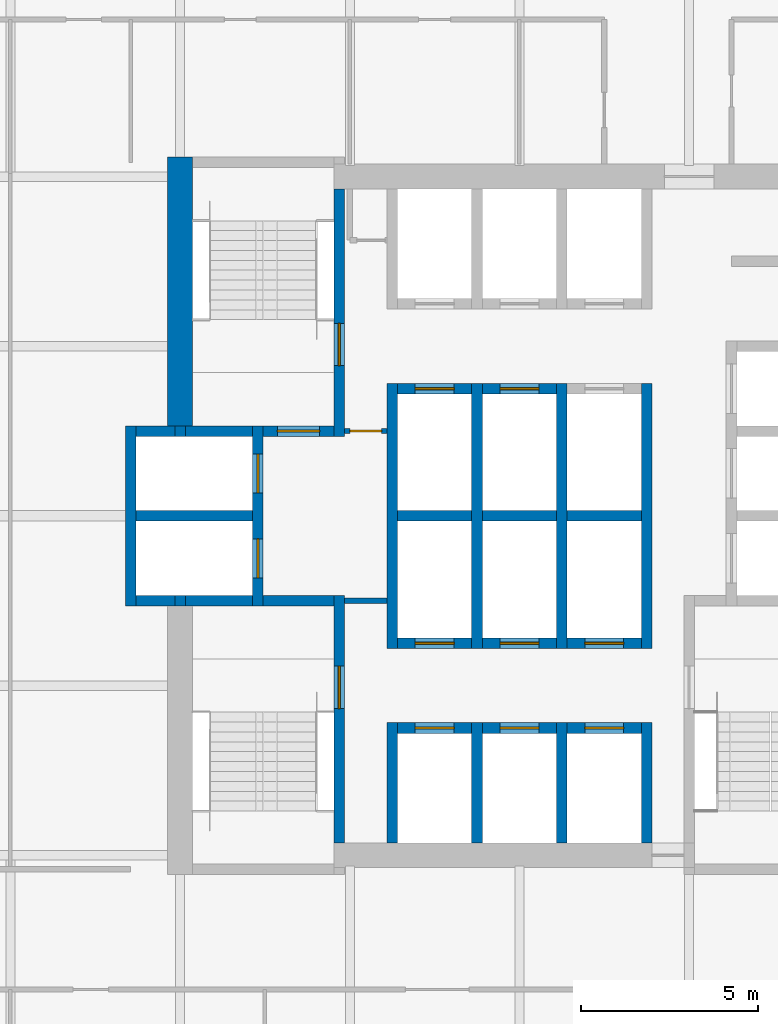
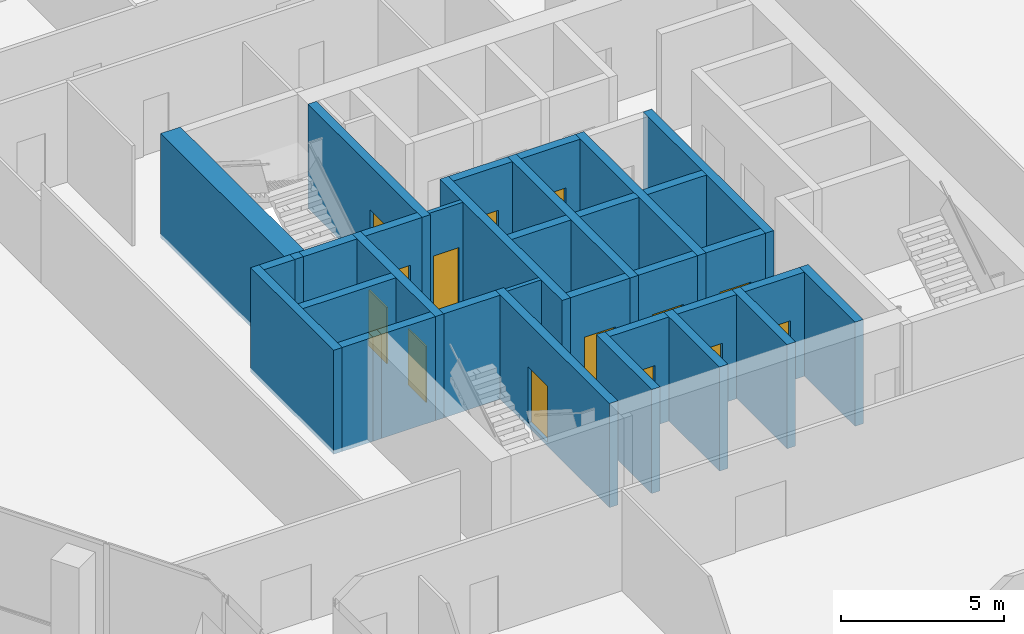
# One storey, part 9 of 15: 35 walls, 14 doors, 14 openings.
"""IFC4 building model written with IfcOpenShell, lengths in metres."""

from ifc_helpers import new_model, si_unit, direction, frame, frame_2d, origin, place, context, subcontext, project, spatial, rectangle, extrude, material, layer, layer_set, type_object, element, fill, save


model = new_model("IFC4")

# Units and contexts
model_context = context("Model", 3, precision=1e-05, world=origin(), true_north=direction((0.0, 1.0)))
body_context = subcontext(model_context, "Body", "Model", "MODEL_VIEW")
ifc_project = project(units=[si_unit("LENGTHUNIT", "METRE"), si_unit("AREAUNIT", "SQUARE_METRE"), si_unit("VOLUMEUNIT", "CUBIC_METRE"), si_unit("PLANEANGLEUNIT", "RADIAN"), si_unit("MASSUNIT", "GRAM", prefix="KILO")], contexts=[model_context])

# Site, building, storey
site_placement = place(None, origin())
site = spatial("IfcSite", under=ifc_project, at=site_placement, CompositionType="ELEMENT")
building_placement = place(site_placement, origin())
building = spatial("IfcBuilding", under=site, at=building_placement, Name="Kolab Exchange Tower", CompositionType="ELEMENT")
storey_placement = place(building_placement, frame((0.0, 0.0, 158.300048828125)))
storey = spatial("IfcBuildingStorey", under=building, at=storey_placement, Name="L32", CompositionType="ELEMENT", Elevation=158.300048828125)

# Wall
ifc_material_1 = material(Name="Concrete C60/75", Category="concrete")
ifc_layer_1 = layer(ifc_material_1, 0.699951171875)
ifc_layer_set_1 = layer_set([ifc_layer_1], Name="Concrete C60/75")
wall_type_1 = type_object("IfcWallType", Name="CORE WALL 700 C60/75", PredefinedType="SHEAR", material=ifc_layer_set_1)
wall_1_placement = place(storey_placement, frame((-9.60009765625, 2.550048828125, -0.150146484375), z_axis=(0.0, 0.0, 1.0), x_axis=(0.0, 1.0, 0.0)))
element("IfcWall", 1, at=wall_1_placement, inside=storey, type_object=wall_type_1, Name="wall/L32/core/037", PredefinedType="SHEAR", context=body_context, shape_type="SweptSolid", body=[
    extrude(rectangle(XDim=7.599853515625, YDim=0.699951171875, at=frame_2d((3.7998046875, 0.0))), origin(), (0.0, 0.0, 1.0), 3.900146484375),
])

# Wall, opening, door
ifc_material_2 = material(Name="Concrete C50/60", Category="concrete")
ifc_layer_2 = layer(ifc_material_2, 0.300048828125)
ifc_layer_set_2 = layer_set([ifc_layer_2], Name="Concrete C50/60")
wall_type_2 = type_object("IfcWallType", Name="LIFT SHAFT WALL 300 C50/60", PredefinedType="STANDARD", material=ifc_layer_set_2)
wall_2_placement = place(storey_placement, frame((-3.449951171875, -6.0, -0.150146484375), z_axis=(0.0, 0.0, 1.0), x_axis=(1.0, 0.0, 0.0)))
wall_2 = element("IfcWall", 2, at=wall_2_placement, inside=storey, type_object=wall_type_2, Name="wall/L32/core/003", PredefinedType="STANDARD", context=body_context, shape_type="SweptSolid", body=[
    extrude(rectangle(XDim=2.099853515625, YDim=0.300048828125, at=frame_2d((1.0498046875, 0.0))), origin(), (0.0, 0.0, 1.0), 3.900146484375),
])
opening_1_placement = place(wall_2_placement, frame((0.5, 0.0, 0.14990234375)))
opening_1 = element("IfcOpeningElement", 3, at=opening_1_placement, cuts=wall_2, Name="Opening LD1-110", PredefinedType="OPENING", context=body_context, shape_type="SweptSolid", body=[
    extrude(rectangle(XDim=1.10009765625, YDim=2.10009765625, at=frame_2d((0.550048828125, 1.050048828125))), frame((0.0, 0.16015625, 0.0), z_axis=(0.0, -1.0, 0.0), x_axis=(1.0, 0.0, 0.0)), (0.0, 0.0, 1.0), 0.320068359375),
])
ifc_material_3 = material(Name="Stainless steel 316", Category="steel")
door_type_1 = type_object("IfcDoorType", Name="LANDING DOOR 1100 PASSENGER", OperationType="DOUBLE_DOOR_SLIDING", PredefinedType="DOOR", material=ifc_material_3)
door_1_placement = place(opening_1_placement, origin())
door_1 = element("IfcDoor", 4, at=door_1_placement, inside=storey, type_object=door_type_1, Name="Landing door HR10", OperationType="DOUBLE_DOOR_SLIDING", OverallHeight=2.10009765625, OverallWidth=1.10009765625, PredefinedType="DOOR", context=body_context, shape_type="SweptSolid", body=[
    extrude(rectangle(XDim=1.10009765625, YDim=2.10009765625, at=frame_2d((0.550048828125, 1.050048828125))), frame((0.0, 0.02490234375, 0.0), z_axis=(0.0, -1.0, 0.0), x_axis=(1.0, 0.0, 0.0)), (0.0, 0.0, 1.0), 0.050048828125),
])
fill(opening_1, door_1)

wall_3_placement = place(storey_placement, frame((-1.050048828125, -6.0, -0.150146484375), z_axis=(0.0, 0.0, 1.0), x_axis=(1.0, 0.0, 0.0)))
wall_3 = element("IfcWall", 5, at=wall_3_placement, inside=storey, type_object=wall_type_2, Name="wall/L32/core/004", PredefinedType="STANDARD", context=body_context, shape_type="SweptSolid", body=[
    extrude(rectangle(XDim=2.10009765625, YDim=0.300048828125, at=frame_2d((1.050048828125, 0.0))), origin(), (0.0, 0.0, 1.0), 3.900146484375),
])
opening_2_placement = place(wall_3_placement, frame((0.5, 0.0, 0.14990234375)))
opening_2 = element("IfcOpeningElement", 6, at=opening_2_placement, cuts=wall_3, Name="Opening LD1-111", PredefinedType="OPENING", context=body_context, shape_type="SweptSolid", body=[
    extrude(rectangle(XDim=1.10009765625, YDim=2.10009765625, at=frame_2d((0.550048828125, 1.050048828125))), frame((0.0, 0.16015625, 0.0), z_axis=(0.0, -1.0, 0.0), x_axis=(1.0, 0.0, 0.0)), (0.0, 0.0, 1.0), 0.320068359375),
])
door_2_placement = place(opening_2_placement, origin())
door_2 = element("IfcDoor", 7, at=door_2_placement, inside=storey, type_object=door_type_1, Name="Landing door HR11", OperationType="DOUBLE_DOOR_SLIDING", OverallHeight=2.10009765625, OverallWidth=1.10009765625, PredefinedType="DOOR", context=body_context, shape_type="SweptSolid", body=[
    extrude(rectangle(XDim=1.10009765625, YDim=2.10009765625, at=frame_2d((0.550048828125, 1.050048828125))), frame((0.0, 0.02490234375, 0.0), z_axis=(0.0, -1.0, 0.0), x_axis=(1.0, 0.0, 0.0)), (0.0, 0.0, 1.0), 0.050048828125),
])
fill(opening_2, door_2)

wall_4_placement = place(storey_placement, frame((1.35009765625, -6.0, -0.150146484375), z_axis=(0.0, 0.0, 1.0), x_axis=(1.0, 0.0, 0.0)))
wall_4 = element("IfcWall", 8, at=wall_4_placement, inside=storey, type_object=wall_type_2, Name="wall/L32/core/005", PredefinedType="STANDARD", context=body_context, shape_type="SweptSolid", body=[
    extrude(rectangle(XDim=2.099853515625, YDim=0.300048828125, at=frame_2d((1.0498046875, 0.0))), origin(), (0.0, 0.0, 1.0), 3.900146484375),
])
opening_3_placement = place(wall_4_placement, frame((0.5, 0.0, 0.14990234375)))
opening_3 = element("IfcOpeningElement", 9, at=opening_3_placement, cuts=wall_4, Name="Opening LD1-112", PredefinedType="OPENING", context=body_context, shape_type="SweptSolid", body=[
    extrude(rectangle(XDim=1.10009765625, YDim=2.10009765625, at=frame_2d((0.550048828125, 1.050048828125))), frame((0.0, 0.16015625, 0.0), z_axis=(0.0, -1.0, 0.0), x_axis=(1.0, 0.0, 0.0)), (0.0, 0.0, 1.0), 0.320068359375),
])
door_3_placement = place(opening_3_placement, origin())
door_3 = element("IfcDoor", 10, at=door_3_placement, inside=storey, type_object=door_type_1, Name="Landing door HR12", OperationType="DOUBLE_DOOR_SLIDING", OverallHeight=2.10009765625, OverallWidth=1.10009765625, PredefinedType="DOOR", context=body_context, shape_type="SweptSolid", body=[
    extrude(rectangle(XDim=1.10009765625, YDim=2.10009765625, at=frame_2d((0.550048828125, 1.050048828125))), frame((0.0, 0.02490234375, 0.0), z_axis=(0.0, -1.0, 0.0), x_axis=(1.0, 0.0, 0.0)), (0.0, 0.0, 1.0), 0.050048828125),
])
fill(opening_3, door_3)

wall_5_placement = place(storey_placement, frame((-3.449951171875, -3.60009765625, -0.150146484375), z_axis=(0.0, 0.0, 1.0), x_axis=(1.0, 0.0, 0.0)))
wall_5 = element("IfcWall", 11, at=wall_5_placement, inside=storey, type_object=wall_type_2, Name="wall/L32/core/006", PredefinedType="STANDARD", context=body_context, shape_type="SweptSolid", body=[
    extrude(rectangle(XDim=2.099853515625, YDim=0.300048828125, at=frame_2d((1.0498046875, 0.0))), origin(), (0.0, 0.0, 1.0), 3.900146484375),
])
opening_4_placement = place(wall_5_placement, frame((0.5, 0.0, 0.14990234375)))
opening_4 = element("IfcOpeningElement", 12, at=opening_4_placement, cuts=wall_5, Name="Opening LD1-118", PredefinedType="OPENING", context=body_context, shape_type="SweptSolid", body=[
    extrude(rectangle(XDim=1.10009765625, YDim=2.10009765625, at=frame_2d((0.550048828125, 1.050048828125))), frame((0.0, 0.16015625, 0.0), z_axis=(0.0, -1.0, 0.0), x_axis=(1.0, 0.0, 0.0)), (0.0, 0.0, 1.0), 0.320068359375),
])
door_4_placement = place(opening_4_placement, origin())
door_4 = element("IfcDoor", 13, at=door_4_placement, inside=storey, type_object=door_type_1, Name="Landing door HR7", OperationType="DOUBLE_DOOR_SLIDING", OverallHeight=2.10009765625, OverallWidth=1.10009765625, PredefinedType="DOOR", context=body_context, shape_type="SweptSolid", body=[
    extrude(rectangle(XDim=1.10009765625, YDim=2.10009765625, at=frame_2d((0.550048828125, 1.050048828125))), frame((0.0, 0.02490234375, 0.0), z_axis=(0.0, -1.0, 0.0), x_axis=(1.0, 0.0, 0.0)), (0.0, 0.0, 1.0), 0.050048828125),
])
fill(opening_4, door_4)

wall_6_placement = place(storey_placement, frame((-1.050048828125, -3.60009765625, -0.150146484375), z_axis=(0.0, 0.0, 1.0), x_axis=(1.0, 0.0, 0.0)))
wall_6 = element("IfcWall", 14, at=wall_6_placement, inside=storey, type_object=wall_type_2, Name="wall/L32/core/007", PredefinedType="STANDARD", context=body_context, shape_type="SweptSolid", body=[
    extrude(rectangle(XDim=2.10009765625, YDim=0.300048828125, at=frame_2d((1.050048828125, 0.0))), origin(), (0.0, 0.0, 1.0), 3.900146484375),
])
opening_5_placement = place(wall_6_placement, frame((0.5, 0.0, 0.14990234375)))
opening_5 = element("IfcOpeningElement", 15, at=opening_5_placement, cuts=wall_6, Name="Opening LD1-119", PredefinedType="OPENING", context=body_context, shape_type="SweptSolid", body=[
    extrude(rectangle(XDim=1.10009765625, YDim=2.10009765625, at=frame_2d((0.550048828125, 1.050048828125))), frame((0.0, 0.16015625, 0.0), z_axis=(0.0, -1.0, 0.0), x_axis=(1.0, 0.0, 0.0)), (0.0, 0.0, 1.0), 0.320068359375),
])
door_5_placement = place(opening_5_placement, origin())
door_5 = element("IfcDoor", 16, at=door_5_placement, inside=storey, type_object=door_type_1, Name="Landing door HR8", OperationType="DOUBLE_DOOR_SLIDING", OverallHeight=2.10009765625, OverallWidth=1.10009765625, PredefinedType="DOOR", context=body_context, shape_type="SweptSolid", body=[
    extrude(rectangle(XDim=1.10009765625, YDim=2.10009765625, at=frame_2d((0.550048828125, 1.050048828125))), frame((0.0, 0.02490234375, 0.0), z_axis=(0.0, -1.0, 0.0), x_axis=(1.0, 0.0, 0.0)), (0.0, 0.0, 1.0), 0.050048828125),
])
fill(opening_5, door_5)

wall_7_placement = place(storey_placement, frame((1.35009765625, -3.60009765625, -0.150146484375), z_axis=(0.0, 0.0, 1.0), x_axis=(1.0, 0.0, 0.0)))
wall_7 = element("IfcWall", 17, at=wall_7_placement, inside=storey, type_object=wall_type_2, Name="wall/L32/core/008", PredefinedType="STANDARD", context=body_context, shape_type="SweptSolid", body=[
    extrude(rectangle(XDim=2.099853515625, YDim=0.300048828125, at=frame_2d((1.0498046875, 0.0))), origin(), (0.0, 0.0, 1.0), 3.900146484375),
])
opening_6_placement = place(wall_7_placement, frame((0.5, 0.0, 0.14990234375)))
opening_6 = element("IfcOpeningElement", 18, at=opening_6_placement, cuts=wall_7, Name="Opening LD1-120", PredefinedType="OPENING", context=body_context, shape_type="SweptSolid", body=[
    extrude(rectangle(XDim=1.10009765625, YDim=2.10009765625, at=frame_2d((0.550048828125, 1.050048828125))), frame((0.0, 0.16015625, 0.0), z_axis=(0.0, -1.0, 0.0), x_axis=(1.0, 0.0, 0.0)), (0.0, 0.0, 1.0), 0.320068359375),
])
door_6_placement = place(opening_6_placement, origin())
door_6 = element("IfcDoor", 19, at=door_6_placement, inside=storey, type_object=door_type_1, Name="Landing door HR9", OperationType="DOUBLE_DOOR_SLIDING", OverallHeight=2.10009765625, OverallWidth=1.10009765625, PredefinedType="DOOR", context=body_context, shape_type="SweptSolid", body=[
    extrude(rectangle(XDim=1.10009765625, YDim=2.10009765625, at=frame_2d((0.550048828125, 1.050048828125))), frame((0.0, 0.02490234375, 0.0), z_axis=(0.0, -1.0, 0.0), x_axis=(1.0, 0.0, 0.0)), (0.0, 0.0, 1.0), 0.050048828125),
])
fill(opening_6, door_6)

# Walls
wall_8_placement = place(storey_placement, frame((-10.85009765625, -2.39990234375, -0.150146484375), z_axis=(0.0, 0.0, 1.0), x_axis=(1.0, 0.0, 0.0)))
element("IfcWall", 20, at=wall_8_placement, inside=storey, type_object=wall_type_2, Name="wall/L32/core/009", PredefinedType="STANDARD", context=body_context, shape_type="SweptSolid", body=[
    extrude(rectangle(XDim=1.10009765625, YDim=0.300048828125, at=frame_2d((0.550048828125, 0.0))), origin(), (0.0, 0.0, 1.0), 3.900146484375),
])
wall_9_placement = place(storey_placement, frame((-10.85009765625, 0.0, -0.150146484375), z_axis=(0.0, 0.0, 1.0), x_axis=(1.0, 0.0, 0.0)))
element("IfcWall", 21, at=wall_9_placement, inside=storey, type_object=wall_type_2, Name="wall/L32/core/014", PredefinedType="STANDARD", context=body_context, shape_type="SweptSolid", body=[
    extrude(rectangle(XDim=3.300048828125, YDim=0.300048828125, at=frame_2d((1.64990234375, 0.0))), origin(), (0.0, 0.0, 1.0), 3.900146484375),
])
wall_10_placement = place(storey_placement, frame((-3.449951171875, 0.0, -0.150146484375), z_axis=(0.0, 0.0, 1.0), x_axis=(1.0, 0.0, 0.0)))
element("IfcWall", 22, at=wall_10_placement, inside=storey, type_object=wall_type_2, Name="wall/L32/core/015", PredefinedType="STANDARD", context=body_context, shape_type="SweptSolid", body=[
    extrude(rectangle(XDim=2.099853515625, YDim=0.300048828125, at=frame_2d((1.0498046875, 0.0))), origin(), (0.0, 0.0, 1.0), 3.900146484375),
])
wall_11_placement = place(storey_placement, frame((-1.050048828125, 0.0, -0.150146484375), z_axis=(0.0, 0.0, 1.0), x_axis=(1.0, 0.0, 0.0)))
element("IfcWall", 23, at=wall_11_placement, inside=storey, type_object=wall_type_2, Name="wall/L32/core/016", PredefinedType="STANDARD", context=body_context, shape_type="SweptSolid", body=[
    extrude(rectangle(XDim=2.10009765625, YDim=0.300048828125, at=frame_2d((1.050048828125, 0.0))), origin(), (0.0, 0.0, 1.0), 3.900146484375),
])
wall_12_placement = place(storey_placement, frame((1.35009765625, 0.0, -0.150146484375), z_axis=(0.0, 0.0, 1.0), x_axis=(1.0, 0.0, 0.0)))
element("IfcWall", 24, at=wall_12_placement, inside=storey, type_object=wall_type_2, Name="wall/L32/core/017", PredefinedType="STANDARD", context=body_context, shape_type="SweptSolid", body=[
    extrude(rectangle(XDim=2.099853515625, YDim=0.300048828125, at=frame_2d((1.0498046875, 0.0))), origin(), (0.0, 0.0, 1.0), 3.900146484375),
])
wall_13_placement = place(storey_placement, frame((-10.85009765625, 2.39990234375, -0.150146484375), z_axis=(0.0, 0.0, 1.0), x_axis=(1.0, 0.0, 0.0)))
element("IfcWall", 25, at=wall_13_placement, inside=storey, type_object=wall_type_2, Name="wall/L32/core/019", PredefinedType="STANDARD", context=body_context, shape_type="SweptSolid", body=[
    extrude(rectangle(XDim=1.10009765625, YDim=0.300048828125, at=frame_2d((0.550048828125, 0.0))), origin(), (0.0, 0.0, 1.0), 3.900146484375),
])

# Wall, opening, door
wall_14_placement = place(storey_placement, frame((-3.449951171875, 3.60009765625, -0.150146484375), z_axis=(0.0, 0.0, 1.0), x_axis=(1.0, 0.0, 0.0)))
wall_14 = element("IfcWall", 26, at=wall_14_placement, inside=storey, type_object=wall_type_2, Name="wall/L32/core/023", PredefinedType="STANDARD", context=body_context, shape_type="SweptSolid", body=[
    extrude(rectangle(XDim=2.099853515625, YDim=0.300048828125, at=frame_2d((1.0498046875, 0.0))), origin(), (0.0, 0.0, 1.0), 3.900146484375),
])
opening_7_placement = place(wall_14_placement, frame((0.5, 0.0, 0.14990234375)))
opening_7 = element("IfcOpeningElement", 27, at=opening_7_placement, cuts=wall_14, Name="Opening LD1-115", PredefinedType="OPENING", context=body_context, shape_type="SweptSolid", body=[
    extrude(rectangle(XDim=1.10009765625, YDim=2.10009765625, at=frame_2d((0.550048828125, 1.050048828125))), frame((0.0, 0.16015625, 0.0), z_axis=(0.0, -1.0, 0.0), x_axis=(1.0, 0.0, 0.0)), (0.0, 0.0, 1.0), 0.320068359375),
])
door_7_placement = place(opening_7_placement, origin())
door_7 = element("IfcDoor", 28, at=door_7_placement, inside=storey, type_object=door_type_1, Name="Landing door HR4", OperationType="DOUBLE_DOOR_SLIDING", OverallHeight=2.10009765625, OverallWidth=1.10009765625, PredefinedType="DOOR", context=body_context, shape_type="SweptSolid", body=[
    extrude(rectangle(XDim=1.10009765625, YDim=2.10009765625, at=frame_2d((0.550048828125, 1.050048828125))), frame((0.0, 0.02490234375, 0.0), z_axis=(0.0, -1.0, 0.0), x_axis=(1.0, 0.0, 0.0)), (0.0, 0.0, 1.0), 0.050048828125),
])
fill(opening_7, door_7)

wall_15_placement = place(storey_placement, frame((-1.050048828125, 3.60009765625, -0.150146484375), z_axis=(0.0, 0.0, 1.0), x_axis=(1.0, 0.0, 0.0)))
wall_15 = element("IfcWall", 29, at=wall_15_placement, inside=storey, type_object=wall_type_2, Name="wall/L32/core/024", PredefinedType="STANDARD", context=body_context, shape_type="SweptSolid", body=[
    extrude(rectangle(XDim=2.10009765625, YDim=0.300048828125, at=frame_2d((1.050048828125, 0.0))), origin(), (0.0, 0.0, 1.0), 3.900146484375),
])
opening_8_placement = place(wall_15_placement, frame((0.5, 0.0, 0.14990234375)))
opening_8 = element("IfcOpeningElement", 30, at=opening_8_placement, cuts=wall_15, Name="Opening LD1-116", PredefinedType="OPENING", context=body_context, shape_type="SweptSolid", body=[
    extrude(rectangle(XDim=1.10009765625, YDim=2.10009765625, at=frame_2d((0.550048828125, 1.050048828125))), frame((0.0, 0.16015625, 0.0), z_axis=(0.0, -1.0, 0.0), x_axis=(1.0, 0.0, 0.0)), (0.0, 0.0, 1.0), 0.320068359375),
])
door_8_placement = place(opening_8_placement, origin())
door_8 = element("IfcDoor", 31, at=door_8_placement, inside=storey, type_object=door_type_1, Name="Landing door HR5", OperationType="DOUBLE_DOOR_SLIDING", OverallHeight=2.10009765625, OverallWidth=1.10009765625, PredefinedType="DOOR", context=body_context, shape_type="SweptSolid", body=[
    extrude(rectangle(XDim=1.10009765625, YDim=2.10009765625, at=frame_2d((0.550048828125, 1.050048828125))), frame((0.0, 0.02490234375, 0.0), z_axis=(0.0, -1.0, 0.0), x_axis=(1.0, 0.0, 0.0)), (0.0, 0.0, 1.0), 0.050048828125),
])
fill(opening_8, door_8)

# Wall
wall_16_placement = place(storey_placement, frame((-11.0, -2.550048828125, -0.150146484375), z_axis=(0.0, 0.0, 1.0), x_axis=(0.0, 1.0, 0.0)))
element("IfcWall", 32, at=wall_16_placement, inside=storey, type_object=wall_type_2, Name="wall/L32/core/033", PredefinedType="STANDARD", context=body_context, shape_type="SweptSolid", body=[
    extrude(rectangle(XDim=5.10009765625, YDim=0.300048828125, at=frame_2d((2.550048828125, 0.0))), origin(), (0.0, 0.0, 1.0), 3.900146484375),
])

# Wall, openings, doors
wall_17_placement = place(storey_placement, frame((-7.39990234375, -2.550048828125, -0.150146484375), z_axis=(0.0, 0.0, 1.0), x_axis=(0.0, 1.0, 0.0)))
wall_17 = element("IfcWall", 33, at=wall_17_placement, inside=storey, type_object=wall_type_2, Name="wall/L32/core/038", PredefinedType="STANDARD", context=body_context, shape_type="SweptSolid", body=[
    extrude(rectangle(XDim=5.10009765625, YDim=0.300048828125, at=frame_2d((2.550048828125, 0.0))), origin(), (0.0, 0.0, 1.0), 3.900146484375),
])
opening_9_placement = place(wall_17_placement, frame((0.800048828125, 0.0, 0.14990234375)))
opening_9 = element("IfcOpeningElement", 34, at=opening_9_placement, cuts=wall_17, Name="Opening LD2-025", PredefinedType="OPENING", context=body_context, shape_type="SweptSolid", body=[
    extrude(rectangle(XDim=1.10009765625, YDim=2.10009765625, at=frame_2d((0.550048828125, 1.050048828125))), frame((0.0, 0.16015625, 0.0), z_axis=(0.0, -1.0, 0.0), x_axis=(1.0, 0.0, 0.0)), (0.0, 0.0, 1.0), 0.320068359375),
])
opening_10_placement = place(wall_17_placement, frame((3.199951171875, 0.0, 0.14990234375)))
opening_10 = element("IfcOpeningElement", 35, at=opening_10_placement, cuts=wall_17, Name="Opening LD2-026", PredefinedType="OPENING", context=body_context, shape_type="SweptSolid", body=[
    extrude(rectangle(XDim=1.10009765625, YDim=2.10009765625, at=frame_2d((0.550048828125, 1.050048828125))), frame((0.0, 0.16015625, 0.0), z_axis=(0.0, -1.0, 0.0), x_axis=(1.0, 0.0, 0.0)), (0.0, 0.0, 1.0), 0.320068359375),
])
door_type_2 = type_object("IfcDoorType", Name="LANDING DOOR 1100 FIREFIGHTING", OperationType="DOUBLE_DOOR_SLIDING", PredefinedType="DOOR", material=ifc_material_3)
door_9_placement = place(opening_9_placement, origin())
door_9 = element("IfcDoor", 36, at=door_9_placement, inside=storey, type_object=door_type_2, Name="Landing door FF1", OperationType="DOUBLE_DOOR_SLIDING", OverallHeight=2.10009765625, OverallWidth=1.10009765625, PredefinedType="DOOR", context=body_context, shape_type="SweptSolid", body=[
    extrude(rectangle(XDim=1.10009765625, YDim=2.10009765625, at=frame_2d((0.550048828125, 1.050048828125))), frame((0.0, 0.02490234375, 0.0), z_axis=(0.0, -1.0, 0.0), x_axis=(1.0, 0.0, 0.0)), (0.0, 0.0, 1.0), 0.050048828125),
])
fill(opening_9, door_9)
door_10_placement = place(opening_10_placement, origin())
door_10 = element("IfcDoor", 37, at=door_10_placement, inside=storey, type_object=door_type_2, Name="Landing door FF2", OperationType="DOUBLE_DOOR_SLIDING", OverallHeight=2.10009765625, OverallWidth=1.10009765625, PredefinedType="DOOR", context=body_context, shape_type="SweptSolid", body=[
    extrude(rectangle(XDim=1.10009765625, YDim=2.10009765625, at=frame_2d((0.550048828125, 1.050048828125))), frame((0.0, 0.02490234375, 0.0), z_axis=(0.0, -1.0, 0.0), x_axis=(1.0, 0.0, 0.0)), (0.0, 0.0, 1.0), 0.050048828125),
])
fill(opening_10, door_10)

# Walls
wall_18_placement = place(storey_placement, frame((-3.60009765625, -9.25, -0.150146484375), z_axis=(0.0, 0.0, 1.0), x_axis=(0.0, 1.0, 0.0)))
element("IfcWall", 38, at=wall_18_placement, inside=storey, type_object=wall_type_2, Name="wall/L32/core/043", PredefinedType="STANDARD", context=body_context, shape_type="SweptSolid", body=[
    extrude(rectangle(XDim=3.39990234375, YDim=0.300048828125, at=frame_2d((1.699951171875, 0.0))), origin(), (0.0, 0.0, 1.0), 3.900146484375),
])
wall_19_placement = place(storey_placement, frame((-3.60009765625, -3.75, -0.150146484375), z_axis=(0.0, 0.0, 1.0), x_axis=(0.0, 1.0, 0.0)))
element("IfcWall", 39, at=wall_19_placement, inside=storey, type_object=wall_type_2, Name="wall/L32/core/044", PredefinedType="STANDARD", context=body_context, shape_type="SweptSolid", body=[
    extrude(rectangle(XDim=7.5, YDim=0.300048828125, at=frame_2d((3.75, 0.0))), origin(), (0.0, 0.0, 1.0), 3.900146484375),
])
wall_20_placement = place(storey_placement, frame((-1.199951171875, -9.25, -0.150146484375), z_axis=(0.0, 0.0, 1.0), x_axis=(0.0, 1.0, 0.0)))
element("IfcWall", 40, at=wall_20_placement, inside=storey, type_object=wall_type_2, Name="wall/L32/core/046", PredefinedType="STANDARD", context=body_context, shape_type="SweptSolid", body=[
    extrude(rectangle(XDim=3.39990234375, YDim=0.300048828125, at=frame_2d((1.699951171875, 0.0))), origin(), (0.0, 0.0, 1.0), 3.900146484375),
])
wall_21_placement = place(storey_placement, frame((-1.199951171875, -3.75, -0.150146484375), z_axis=(0.0, 0.0, 1.0), x_axis=(0.0, 1.0, 0.0)))
element("IfcWall", 41, at=wall_21_placement, inside=storey, type_object=wall_type_2, Name="wall/L32/core/047", PredefinedType="STANDARD", context=body_context, shape_type="SweptSolid", body=[
    extrude(rectangle(XDim=7.5, YDim=0.300048828125, at=frame_2d((3.75, 0.0))), origin(), (0.0, 0.0, 1.0), 3.900146484375),
])
wall_22_placement = place(storey_placement, frame((1.199951171875, -9.25, -0.150146484375), z_axis=(0.0, 0.0, 1.0), x_axis=(0.0, 1.0, 0.0)))
element("IfcWall", 42, at=wall_22_placement, inside=storey, type_object=wall_type_2, Name="wall/L32/core/049", PredefinedType="STANDARD", context=body_context, shape_type="SweptSolid", body=[
    extrude(rectangle(XDim=3.39990234375, YDim=0.300048828125, at=frame_2d((1.699951171875, 0.0))), origin(), (0.0, 0.0, 1.0), 3.900146484375),
])
wall_23_placement = place(storey_placement, frame((1.199951171875, -3.75, -0.150146484375), z_axis=(0.0, 0.0, 1.0), x_axis=(0.0, 1.0, 0.0)))
element("IfcWall", 43, at=wall_23_placement, inside=storey, type_object=wall_type_2, Name="wall/L32/core/050", PredefinedType="STANDARD", context=body_context, shape_type="SweptSolid", body=[
    extrude(rectangle(XDim=7.5, YDim=0.300048828125, at=frame_2d((3.75, 0.0))), origin(), (0.0, 0.0, 1.0), 3.900146484375),
])
wall_24_placement = place(storey_placement, frame((3.60009765625, -9.25, -0.150146484375), z_axis=(0.0, 0.0, 1.0), x_axis=(0.0, 1.0, 0.0)))
element("IfcWall", 44, at=wall_24_placement, inside=storey, type_object=wall_type_2, Name="wall/L32/core/052", PredefinedType="STANDARD", context=body_context, shape_type="SweptSolid", body=[
    extrude(rectangle(XDim=3.39990234375, YDim=0.300048828125, at=frame_2d((1.699951171875, 0.0))), origin(), (0.0, 0.0, 1.0), 3.900146484375),
])
wall_25_placement = place(storey_placement, frame((3.60009765625, -3.75, -0.150146484375), z_axis=(0.0, 0.0, 1.0), x_axis=(0.0, 1.0, 0.0)))
element("IfcWall", 45, at=wall_25_placement, inside=storey, type_object=wall_type_2, Name="wall/L32/core/053", PredefinedType="STANDARD", context=body_context, shape_type="SweptSolid", body=[
    extrude(rectangle(XDim=7.5, YDim=0.300048828125, at=frame_2d((3.75, 0.0))), origin(), (0.0, 0.0, 1.0), 3.900146484375),
])

# Wall, opening, door
ifc_material_4 = material(Name="Gypsum board", Category="gypsum")
ifc_layer_3 = layer(ifc_material_4, 0.14990234375)
ifc_layer_set_3 = layer_set([ifc_layer_3], Name="Gypsum board")
wall_type_3 = type_object("IfcWallType", Name="PARTITION 150 FIRE-RATED", PredefinedType="PARTITIONING", material=ifc_layer_set_3)
wall_26_placement = place(storey_placement, frame((-4.949951171875, 2.39990234375, 0.0), z_axis=(0.0, 0.0, 1.0), x_axis=(1.0, 0.0, 0.0)))
wall_26 = element("IfcWall", 46, at=wall_26_placement, inside=storey, type_object=wall_type_3, Name="Fire partition", PredefinedType="PARTITIONING", context=body_context, shape_type="SweptSolid", body=[
    extrude(rectangle(XDim=1.199951171875, YDim=0.14990234375, at=frame_2d((0.60009765625, 0.0))), origin(), (0.0, 0.0, 1.0), 3.75),
])
opening_11_placement = place(wall_26_placement, frame((0.14990234375, 0.0, 0.0)))
opening_11 = element("IfcOpeningElement", 47, at=opening_11_placement, cuts=wall_26, Name="Opening D6-288", PredefinedType="OPENING", context=body_context, shape_type="SweptSolid", body=[
    extrude(rectangle(XDim=0.89990234375, YDim=2.10009765625, at=frame_2d((0.449951171875, 1.050048828125))), frame((0.0, 0.0849609375, 0.0), z_axis=(0.0, -1.0, 0.0), x_axis=(1.0, 0.0, 0.0)), (0.0, 0.0, 1.0), 0.169921875),
])
ifc_material_5 = material(Name="Steel S235", Category="steel")
door_type_3 = type_object("IfcDoorType", Name="CORE DOOR 900 EI 120", OperationType="SINGLE_SWING_LEFT", PredefinedType="DOOR", material=ifc_material_5)
door_11_placement = place(opening_11_placement, frame((0.89990234375, 0.0, 0.0), z_axis=(0.0, 0.0, 1.0), x_axis=(-1.0, 0.0, 0.0)))
door_11 = element("IfcDoor", 48, at=door_11_placement, inside=storey, type_object=door_type_3, Name="Firefighting lobby door", OperationType="SINGLE_SWING_RIGHT", OverallHeight=2.10009765625, OverallWidth=0.89990234375, PredefinedType="DOOR", context=body_context, shape_type="SweptSolid", body=[
    extrude(rectangle(XDim=0.89990234375, YDim=2.10009765625, at=frame_2d((0.449951171875, 1.050048828125))), frame((0.0, 0.02490234375, 0.0), z_axis=(0.0, -1.0, 0.0), x_axis=(1.0, 0.0, 0.0)), (0.0, 0.0, 1.0), 0.050048828125),
])
fill(opening_11, door_11)

# Walls
wall_27_placement = place(storey_placement, frame((-4.949951171875, -2.39990234375, 0.0), z_axis=(0.0, 0.0, 1.0), x_axis=(1.0, 0.0, 0.0)))
element("IfcWall", 49, at=wall_27_placement, inside=storey, type_object=wall_type_3, Name="Fire partition", PredefinedType="PARTITIONING", context=body_context, shape_type="SweptSolid", body=[
    extrude(rectangle(XDim=1.199951171875, YDim=0.14990234375, at=frame_2d((0.60009765625, 0.0))), origin(), (0.0, 0.0, 1.0), 3.75),
])
ifc_layer_4 = layer(ifc_material_2, 0.300048828125)
ifc_layer_set_4 = layer_set([ifc_layer_4], Name="Concrete C50/60")
wall_type_4 = type_object("IfcWallType", Name="STAIR ENCLOSURE WALL 300 C50/60", PredefinedType="STANDARD", material=ifc_layer_set_4)
wall_28_placement = place(storey_placement, frame((-9.449951171875, -2.39990234375, -0.150146484375), z_axis=(0.0, 0.0, 1.0), x_axis=(1.0, 0.0, 0.0)))
element("IfcWall", 50, at=wall_28_placement, inside=storey, type_object=wall_type_4, Name="wall/L32/core/010", PredefinedType="STANDARD", context=body_context, shape_type="SweptSolid", body=[
    extrude(rectangle(XDim=1.89990234375, YDim=0.300048828125, at=frame_2d((0.949951171875, 0.0))), origin(), (0.0, 0.0, 1.0), 3.900146484375),
])
wall_29_placement = place(storey_placement, frame((-7.25, -2.39990234375, -0.150146484375), z_axis=(0.0, 0.0, 1.0), x_axis=(1.0, 0.0, 0.0)))
element("IfcWall", 51, at=wall_29_placement, inside=storey, type_object=wall_type_4, Name="wall/L32/core/011", PredefinedType="STANDARD", context=body_context, shape_type="SweptSolid", body=[
    extrude(rectangle(XDim=2.0, YDim=0.300048828125, at=frame_2d((1.0, 0.0))), origin(), (0.0, 0.0, 1.0), 3.900146484375),
])
wall_30_placement = place(storey_placement, frame((-9.449951171875, 2.39990234375, -0.150146484375), z_axis=(0.0, 0.0, 1.0), x_axis=(1.0, 0.0, 0.0)))
element("IfcWall", 52, at=wall_30_placement, inside=storey, type_object=wall_type_4, Name="wall/L32/core/020", PredefinedType="STANDARD", context=body_context, shape_type="SweptSolid", body=[
    extrude(rectangle(XDim=1.89990234375, YDim=0.300048828125, at=frame_2d((0.949951171875, 0.0))), origin(), (0.0, 0.0, 1.0), 3.900146484375),
])

# Wall, opening, door
wall_31_placement = place(storey_placement, frame((-7.25, 2.39990234375, -0.150146484375), z_axis=(0.0, 0.0, 1.0), x_axis=(1.0, 0.0, 0.0)))
wall_31 = element("IfcWall", 53, at=wall_31_placement, inside=storey, type_object=wall_type_4, Name="wall/L32/core/021", PredefinedType="STANDARD", context=body_context, shape_type="SweptSolid", body=[
    extrude(rectangle(XDim=2.0, YDim=0.300048828125, at=frame_2d((1.0, 0.0))), origin(), (0.0, 0.0, 1.0), 3.900146484375),
])
opening_12_placement = place(wall_31_placement, frame((0.39990234375, 0.0, 0.14990234375)))
opening_12 = element("IfcOpeningElement", 54, at=opening_12_placement, cuts=wall_31, Name="Opening D4-065", PredefinedType="OPENING", context=body_context, shape_type="SweptSolid", body=[
    extrude(rectangle(XDim=1.199951171875, YDim=2.10009765625, at=frame_2d((0.60009765625, 1.050048828125))), frame((0.0, 0.16015625, 0.0), z_axis=(0.0, -1.0, 0.0), x_axis=(1.0, 0.0, 0.0)), (0.0, 0.0, 1.0), 0.320068359375),
])
door_type_4 = type_object("IfcDoorType", Name="STAIR DOOR 1200 EI 120", OperationType="SINGLE_SWING_LEFT", PredefinedType="DOOR", material=ifc_material_5)
door_12_placement = place(opening_12_placement, origin())
door_12 = element("IfcDoor", 55, at=door_12_placement, inside=storey, type_object=door_type_4, Name="Stair 1 door", OperationType="SINGLE_SWING_RIGHT", OverallHeight=2.10009765625, OverallWidth=1.199951171875, PredefinedType="DOOR", context=body_context, shape_type="SweptSolid", body=[
    extrude(rectangle(XDim=1.199951171875, YDim=2.10009765625, at=frame_2d((0.60009765625, 1.050048828125))), frame((0.0, 0.02490234375, 0.0), z_axis=(0.0, -1.0, 0.0), x_axis=(1.0, 0.0, 0.0)), (0.0, 0.0, 1.0), 0.050048828125),
])
fill(opening_12, door_12)

# Walls
for number, where, z_axis, x_axis, name in (
    (56, (-9.60009765625, -2.550048828125, -0.150146484375), (0.0, 0.0, 1.0), (0.0, 1.0, 0.0), "wall/L32/core/035"),
    (57, (-9.60009765625, 2.25, -0.150146484375), (0.0, 0.0, 1.0), (0.0, 1.0, 0.0), "wall/L32/core/036"),
):
    element("IfcWall", number, at=place(storey_placement, frame(where, z_axis=z_axis, x_axis=x_axis)), inside=storey, type_object=wall_type_4, Name=name, PredefinedType="STANDARD", context=body_context, shape_type="SweptSolid", body=[
        extrude(rectangle(XDim=0.300048828125, YDim=0.300048828125, at=frame_2d((0.14990234375, 0.0))), origin(), (0.0, 0.0, 1.0), 3.900146484375),
    ])

# Wall, opening, door
wall_32_placement = place(storey_placement, frame((-5.10009765625, -9.25, -0.150146484375), z_axis=(0.0, 0.0, 1.0), x_axis=(0.0, 1.0, 0.0)))
wall_32 = element("IfcWall", 58, at=wall_32_placement, inside=storey, type_object=wall_type_4, Name="wall/L32/core/040", PredefinedType="STANDARD", context=body_context, shape_type="SweptSolid", body=[
    extrude(rectangle(XDim=7.0, YDim=0.300048828125, at=frame_2d((3.5, 0.0))), origin(), (0.0, 0.0, 1.0), 3.900146484375),
])
opening_13_placement = place(wall_32_placement, frame((3.800048828125, 0.0, 0.14990234375)))
opening_13 = element("IfcOpeningElement", 59, at=opening_13_placement, cuts=wall_32, Name="Opening D4-068", PredefinedType="OPENING", context=body_context, shape_type="SweptSolid", body=[
    extrude(rectangle(XDim=1.199951171875, YDim=2.10009765625, at=frame_2d((0.60009765625, 1.050048828125))), frame((0.0, 0.16015625, 0.0), z_axis=(0.0, -1.0, 0.0), x_axis=(1.0, 0.0, 0.0)), (0.0, 0.0, 1.0), 0.320068359375),
])
door_13_placement = place(opening_13_placement, origin())
door_13 = element("IfcDoor", 60, at=door_13_placement, inside=storey, type_object=door_type_4, Name="Stair 3 door", OperationType="SINGLE_SWING_RIGHT", OverallHeight=2.10009765625, OverallWidth=1.199951171875, PredefinedType="DOOR", context=body_context, shape_type="SweptSolid", body=[
    extrude(rectangle(XDim=1.199951171875, YDim=2.10009765625, at=frame_2d((0.60009765625, 1.050048828125))), frame((0.0, 0.02490234375, 0.0), z_axis=(0.0, -1.0, 0.0), x_axis=(1.0, 0.0, 0.0)), (0.0, 0.0, 1.0), 0.050048828125),
])
fill(opening_13, door_13)

wall_33_placement = place(storey_placement, frame((-5.10009765625, 2.25, -0.150146484375), z_axis=(0.0, 0.0, 1.0), x_axis=(0.0, 1.0, 0.0)))
wall_33 = element("IfcWall", 61, at=wall_33_placement, inside=storey, type_object=wall_type_4, Name="wall/L32/core/041", PredefinedType="STANDARD", context=body_context, shape_type="SweptSolid", body=[
    extrude(rectangle(XDim=7.0, YDim=0.300048828125, at=frame_2d((3.5, 0.0))), origin(), (0.0, 0.0, 1.0), 3.900146484375),
])
opening_14_placement = place(wall_33_placement, frame((2.0, 0.0, 0.14990234375)))
opening_14 = element("IfcOpeningElement", 62, at=opening_14_placement, cuts=wall_33, Name="Opening D4-066", PredefinedType="OPENING", context=body_context, shape_type="SweptSolid", body=[
    extrude(rectangle(XDim=1.199951171875, YDim=2.10009765625, at=frame_2d((0.60009765625, 1.050048828125))), frame((0.0, 0.16015625, 0.0), z_axis=(0.0, -1.0, 0.0), x_axis=(1.0, 0.0, 0.0)), (0.0, 0.0, 1.0), 0.320068359375),
])
door_14_placement = place(opening_14_placement, origin())
door_14 = element("IfcDoor", 63, at=door_14_placement, inside=storey, type_object=door_type_4, Name="Stair 1 door", OperationType="SINGLE_SWING_LEFT", OverallHeight=2.10009765625, OverallWidth=1.199951171875, PredefinedType="DOOR", context=body_context, shape_type="SweptSolid", body=[
    extrude(rectangle(XDim=1.199951171875, YDim=2.10009765625, at=frame_2d((0.60009765625, 1.050048828125))), frame((0.0, 0.02490234375, 0.0), z_axis=(0.0, -1.0, 0.0), x_axis=(1.0, 0.0, 0.0)), (0.0, 0.0, 1.0), 0.050048828125),
])
fill(opening_14, door_14)

save(model, "model.ifc")
